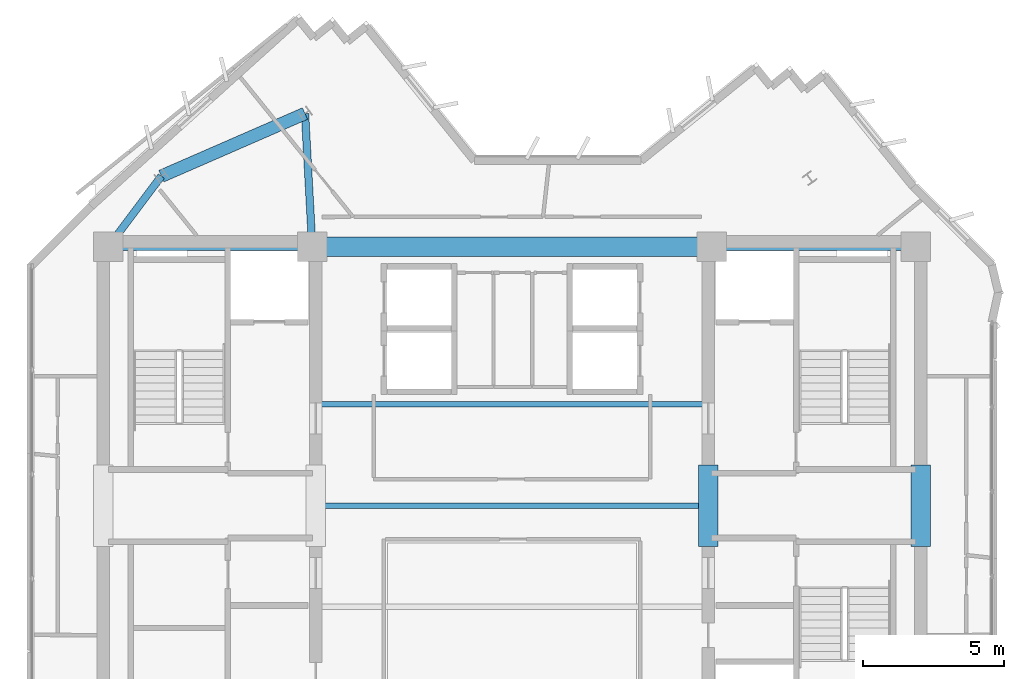
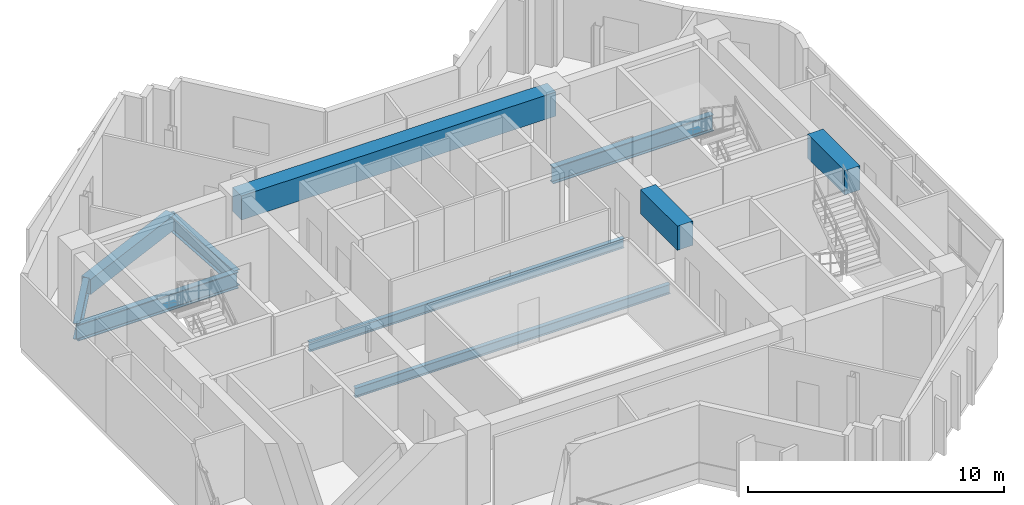
# One storey, part 3 of 11: 10 beams.
"""IFC4 building model written with IfcOpenShell, lengths in metres."""

from ifc_helpers import new_model, si_unit, direction, frame, origin, origin_2d, place, context, subcontext, project, spatial, rectangle, i_section, extrude, source, transform, mapped, material, material_profile, profile_set, type_object, element, save


model = new_model("IFC4")

# Units and contexts
model_context = context("Model", 3, precision=1e-05, world=origin(), true_north=direction((0.0, 1.0)))
body_context = subcontext(model_context, "Body", "Model", "MODEL_VIEW")
ifc_project = project(units=[si_unit("LENGTHUNIT", "METRE"), si_unit("AREAUNIT", "SQUARE_METRE"), si_unit("VOLUMEUNIT", "CUBIC_METRE"), si_unit("PLANEANGLEUNIT", "RADIAN"), si_unit("MASSUNIT", "GRAM", prefix="KILO")], contexts=[model_context])

# Site, building, storey
site_placement = place(None, origin())
site = spatial("IfcSite", under=ifc_project, at=site_placement, CompositionType="ELEMENT")
building_placement = place(site_placement, origin())
building = spatial("IfcBuilding", under=site, at=building_placement, Name="Zahravan Cultural Tower", CompositionType="ELEMENT")
storey_placement = place(building_placement, frame((0.0, 0.0, 284.10009765625)))
storey = spatial("IfcBuildingStorey", under=building, at=storey_placement, Name="L68", CompositionType="ELEMENT", Elevation=284.10009765625)

# Beams
ifc_material_1 = material(Name="Concrete C50/60", Category="concrete")
ifc_material_profile_1 = material_profile(ifc_material_1, rectangle(XDim=0.699951171875, YDim=1.14990234375, at=origin_2d()), Name="RC700X1150")
ifc_profile_set_1 = profile_set([ifc_material_profile_1], Name="Concrete C50/60")
beam_type_1 = type_object("IfcBeamType", Name="BM-LN-RC700X1150", PredefinedType="LINTEL", material=ifc_profile_set_1)
shared_shape_1 = source(origin(), body_context, "Body", "SweptSolid", [
    extrude(rectangle(XDim=0.699951171875, YDim=1.14990234375, at=origin_2d()), origin(), (0.0, 0.0, 1.0), 14.2001953125),
])
beam_1_placement = place(storey_placement, frame((28.89990234375, 36.199951171875, 2.9248046875), z_axis=(1.0, 0.0, 0.0), x_axis=(0.0, 1.0, 0.0)))
element("IfcBeam", 1, at=beam_1_placement, inside=storey, type_object=beam_type_1, Name="L68 Beam LN-L68-N", PredefinedType="LINTEL", context=body_context, shape_type="MappedRepresentation", body=[
    mapped(shared_shape_1, transform((0.0, 0.0, 0.0), x_axis=(1.0, 0.0, 0.0), y_axis=(0.0, 1.0, 0.0), z_axis=(0.0, 0.0, 1.0), scale=1.0)),
])
shared_shape_2 = source(origin(), body_context, "Body", "SweptSolid", [
    extrude(rectangle(XDim=0.699951171875, YDim=1.14990234375, at=origin_2d()), origin(), (0.0, 0.0, 1.0), 2.89990234375),
])
for number, where, z_axis, x_axis, name in (
    (2, (42.97509765625, 25.550048828125, 2.9248046875), (0.0, 1.0, 0.0), (-1.0, 0.0, 0.0), "L68 Beam LN-L68-PEW"),
    (3, (50.52490234375, 25.550048828125, 2.9248046875), (0.0, 1.0, 0.0), (-1.0, 0.0, 0.0), "L68 Beam LN-L68-PEE"),
):
    element("IfcBeam", number, at=place(storey_placement, frame(where, z_axis=z_axis, x_axis=x_axis)), inside=storey, type_object=beam_type_1, Name=name, PredefinedType="LINTEL", context=body_context, shape_type="MappedRepresentation", body=[
        mapped(shared_shape_2, transform((0.0, 0.0, 0.0), x_axis=(1.0, 0.0, 0.0), y_axis=(0.0, 1.0, 0.0), z_axis=(0.0, 0.0, 1.0), scale=1.0)),
    ])
ifc_material_2 = material(Name="Steel ASTM A992 Grade 50", Category="steel")
ifc_material_profile_2 = material_profile(ifc_material_2, i_section(OverallWidth=0.26611328125, OverallDepth=0.780029296875, WebThickness=0.0166015625, FlangeThickness=0.030029296875, FilletRadius=0.01904296875, at=origin_2d()), Name="W30X148")
ifc_profile_set_2 = profile_set([ifc_material_profile_2], Name="Steel ASTM A992 Grade 50")
beam_type_2 = type_object("IfcBeamType", Name="BM-G-W30X148", PredefinedType="BEAM", material=ifc_profile_set_2)
shared_shape_3 = source(origin(), body_context, "Body", "SweptSolid", [
    extrude(i_section(OverallWidth=0.26611328125, OverallDepth=0.780029296875, WebThickness=0.0166015625, FlangeThickness=0.030029296875, FilletRadius=0.01904296875, at=origin_2d()), origin(), (0.0, 0.0, 1.0), 7.25),
])
for number, where, z_axis, x_axis, name in (
    (4, (21.64990234375, 36.199951171875, -0.64013671875), (1.0, 0.0, 0.0), (0.0, 1.0, 0.0), "L68 Beam BG-L68-02"),
    (5, (43.10009765625, 36.199951171875, -0.64013671875), (1.0, 0.0, 0.0), (0.0, 1.0, 0.0), "L68 Beam BG-L68-05"),
):
    element("IfcBeam", number, at=place(storey_placement, frame(where, z_axis=z_axis, x_axis=x_axis)), inside=storey, type_object=beam_type_2, Name=name, PredefinedType="BEAM", context=body_context, shape_type="MappedRepresentation", body=[
        mapped(shared_shape_3, transform((0.0, 0.0, 0.0), x_axis=(1.0, 0.0, 0.0), y_axis=(0.0, 1.0, 0.0), z_axis=(0.0, 0.0, 1.0), scale=1.0)),
    ])
ifc_material_profile_3 = material_profile(ifc_material_2, i_section(OverallWidth=0.26708984375, OverallDepth=0.761962890625, WebThickness=0.014404296875, FlangeThickness=0.021484375, FilletRadius=0.01904296875, at=origin_2d()), Name="W30X116")
ifc_profile_set_3 = profile_set([ifc_material_profile_3], Name="Steel ASTM A992 Grade 50")
beam_type_3 = type_object("IfcBeamType", Name="BM-G-W30X116", PredefinedType="BEAM", material=ifc_profile_set_3)
shared_shape_4 = source(origin(), body_context, "Body", "SweptSolid", [
    extrude(i_section(OverallWidth=0.26708984375, OverallDepth=0.761962890625, WebThickness=0.014404296875, FlangeThickness=0.021484375, FilletRadius=0.01904296875, at=origin_2d()), origin(), (0.0, 0.0, 1.0), 4.744384765625),
])
beam_2_placement = place(storey_placement, frame((28.89990234375, 36.199951171875, -0.631103515625), z_axis=(-0.054238739845, 0.998527996152, 0.0), x_axis=(-0.998527996152, -0.054238739845, 0.0)))
element("IfcBeam", 6, at=beam_2_placement, inside=storey, type_object=beam_type_3, Name="L68 Beam BG-L68-10", PredefinedType="BEAM", context=body_context, shape_type="MappedRepresentation", body=[
    mapped(shared_shape_4, transform((0.0, 0.0, 0.0), x_axis=(1.0, 0.0, 0.0), y_axis=(0.0, 1.0, 0.0), z_axis=(0.0, 0.0, 1.0), scale=1.0)),
])
shared_shape_5 = source(origin(), body_context, "Body", "SweptSolid", [
    extrude(i_section(OverallWidth=0.26708984375, OverallDepth=0.761962890625, WebThickness=0.014404296875, FlangeThickness=0.021484375, FilletRadius=0.01904296875, at=origin_2d()), origin(), (0.0, 0.0, 1.0), 3.140380859375),
])
beam_3_placement = place(storey_placement, frame((21.64990234375, 36.199951171875, -0.631103515625), z_axis=(0.600696322208, 0.799477284534, 0.0), x_axis=(-0.799477284534, 0.600696322208, 0.0)))
element("IfcBeam", 7, at=beam_3_placement, inside=storey, type_object=beam_type_3, Name="L68 Beam BG-L68-11", PredefinedType="BEAM", context=body_context, shape_type="MappedRepresentation", body=[
    mapped(shared_shape_5, transform((0.0, 0.0, 0.0), x_axis=(1.0, 0.0, 0.0), y_axis=(0.0, 1.0, 0.0), z_axis=(0.0, 0.0, 1.0), scale=1.0)),
])
ifc_material_3 = material(Name="Concrete C45/55", Category="concrete")
ifc_material_profile_4 = material_profile(ifc_material_3, rectangle(XDim=0.449951171875, YDim=0.719970703125, at=origin_2d()), Name="RC450X720")
ifc_profile_set_4 = profile_set([ifc_material_profile_4], Name="Concrete C45/55")
beam_type_4 = type_object("IfcBeamType", Name="BM-SP-RC450X720", PredefinedType="SPANDREL", material=ifc_profile_set_4)
shared_shape_6 = source(origin(), body_context, "Body", "SweptSolid", [
    extrude(rectangle(XDim=0.449951171875, YDim=0.719970703125, at=origin_2d()), origin(), (0.0, 0.0, 1.0), 5.570556640625),
])
beam_4_placement = place(storey_placement, frame((28.642578125, 40.937255859375, -0.610107421875), z_axis=(-0.9166445026, -0.399703459896, 0.0), x_axis=(0.399703459896, -0.9166445026, 0.0)))
element("IfcBeam", 8, at=beam_4_placement, inside=storey, type_object=beam_type_4, Name="L68 Beam SP-L68-13", PredefinedType="SPANDREL", context=body_context, shape_type="MappedRepresentation", body=[
    mapped(shared_shape_6, transform((0.0, 0.0, 0.0), x_axis=(1.0, 0.0, 0.0), y_axis=(0.0, 1.0, 0.0), z_axis=(0.0, 0.0, 1.0), scale=1.0)),
])
ifc_material_profile_5 = material_profile(ifc_material_2, i_section(OverallWidth=0.18994140625, OverallDepth=0.45703125, WebThickness=0.009033203125, FlangeThickness=0.014404296875, FilletRadius=0.012939453125, at=origin_2d()), Name="W18X50")
ifc_profile_set_5 = profile_set([ifc_material_profile_5], Name="Steel ASTM A992 Grade 50")
beam_type_5 = type_object("IfcBeamType", Name="BM-J-W18X50", PredefinedType="JOIST", material=ifc_profile_set_5)
shared_shape_7 = source(origin(), body_context, "Body", "SweptSolid", [
    extrude(i_section(OverallWidth=0.18994140625, OverallDepth=0.45703125, WebThickness=0.009033203125, FlangeThickness=0.014404296875, FilletRadius=0.012939453125, at=origin_2d()), origin(), (0.0, 0.0, 1.0), 14.2001953125),
])
for number, where, z_axis, x_axis, name in (
    (9, (28.89990234375, 27.0, -0.478515625), (1.0, 0.0, 0.0), (0.0, 1.0, 0.0), "L68 Beam BJ-L68-16"),
    (10, (28.89990234375, 30.60009765625, -0.478515625), (1.0, 0.0, 0.0), (0.0, 1.0, 0.0), "L68 Beam BJ-L68-17"),
):
    element("IfcBeam", number, at=place(storey_placement, frame(where, z_axis=z_axis, x_axis=x_axis)), inside=storey, type_object=beam_type_5, Name=name, PredefinedType="JOIST", context=body_context, shape_type="MappedRepresentation", body=[
        mapped(shared_shape_7, transform((0.0, 0.0, 0.0), x_axis=(1.0, 0.0, 0.0), y_axis=(0.0, 1.0, 0.0), z_axis=(0.0, 0.0, 1.0), scale=1.0)),
    ])

save(model, "model.ifc")
